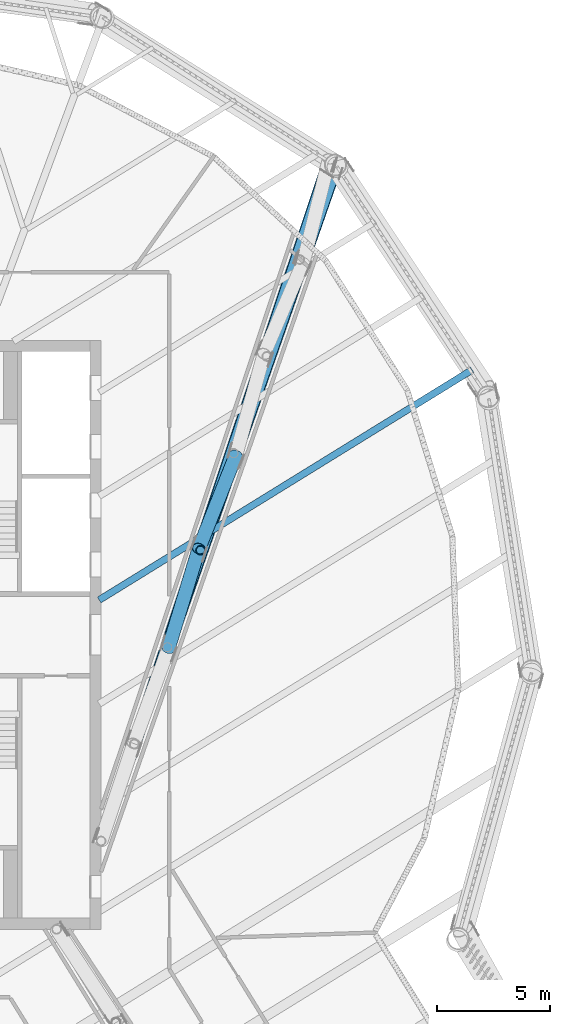
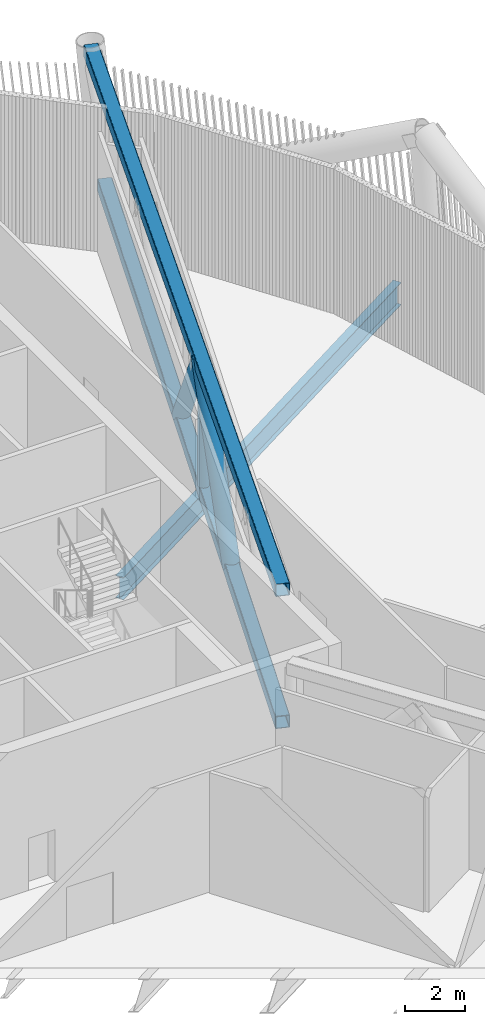
# One storey, part 8 of 40: 5 members, 1 beam.
"""IFC4 building model written with IfcOpenShell, lengths in metres."""

from ifc_helpers import new_model, si_unit, direction, frame, origin, origin_2d, place, context, subcontext, project, spatial, hollow_rectangle, hollow_circle, i_section, extrude, material, material_profile, profile_set, type_object, element, save


model = new_model("IFC4")

# Units and contexts
model_context = context("Model", 3, precision=1e-05, world=origin(), true_north=direction((0.0, 1.0)))
body_context = subcontext(model_context, "Body", "Model", "MODEL_VIEW")
ifc_project = project(units=[si_unit("LENGTHUNIT", "METRE"), si_unit("AREAUNIT", "SQUARE_METRE"), si_unit("VOLUMEUNIT", "CUBIC_METRE"), si_unit("PLANEANGLEUNIT", "RADIAN"), si_unit("MASSUNIT", "GRAM", prefix="KILO")], contexts=[model_context])

# Site, building, storey
site_placement = place(None, origin())
site = spatial("IfcSite", under=ifc_project, at=site_placement, CompositionType="ELEMENT")
building_placement = place(site_placement, origin())
building = spatial("IfcBuilding", under=site, at=building_placement, Name="Tarsis Ring Headquarters", CompositionType="ELEMENT")
storey_placement = place(building_placement, frame((0.0, 0.0, 354.800048828125)))
storey = spatial("IfcBuildingStorey", under=building, at=storey_placement, Name="L84", CompositionType="ELEMENT", Elevation=354.800048828125)

# Beam
ifc_material = material(Name="Structural steel S355", Category="steel")
ifc_material_profile_1 = material_profile(ifc_material, i_section(OverallWidth=0.3046875, OverallDepth=0.904296875, WebThickness=0.01513671875, FlangeThickness=0.02001953125, at=origin_2d()), Name="W36x135")
ifc_profile_set_1 = profile_set([ifc_material_profile_1], Name="Structural steel S355")
beam_type = type_object("IfcBeamType", Name="FB Floor beam W36x135", PredefinedType="JOIST", material=ifc_profile_set_1)
beam_placement = place(storey_placement, frame((9.914794921875, 1.535888671875, -0.752197265625), z_axis=(0.850994735959, 0.525174218113, 0.0), x_axis=(-0.525174218113, 0.850994735959, 0.0)))
element("IfcBeam", 1, at=beam_placement, inside=storey, type_object=beam_type, Name="Floor beam FB8", PredefinedType="JOIST", context=body_context, shape_type="SweptSolid", body=[
    extrude(i_section(OverallWidth=0.3046875, OverallDepth=0.904296875, WebThickness=0.01513671875, FlangeThickness=0.02001953125, at=origin_2d()), origin(), (0.0, 0.0, 1.0), 19.34716796875),
])

# Members
ifc_material_profile_2 = material_profile(ifc_material, hollow_rectangle(XDim=0.508056640625, YDim=0.508056640625, WallThickness=0.025390625, InnerFilletRadius=0.025390625, OuterFilletRadius=0.05078125, at=origin_2d()), Name="HSS 508x508x25")
ifc_profile_set_2 = profile_set([ifc_material_profile_2], Name="Structural steel S355")
member_type_1 = type_object("IfcMemberType", Name="OC Outrigger chord HSS 508x508x25", PredefinedType="CHORD", material=ifc_profile_set_2)
member_1_placement = place(storey_placement, frame((10.0, -9.10009765625, 0.25390625), z_axis=(0.32982113751, 0.944043440341, 0.0), x_axis=(-0.944043440341, 0.32982113751, 0.0)))
element("IfcMember", 2, at=member_1_placement, inside=storey, type_object=member_type_1, Name="Outrigger chord OC1", PredefinedType="CHORD", context=body_context, shape_type="SweptSolid", body=[
    extrude(hollow_rectangle(XDim=0.508056640625, YDim=0.508056640625, WallThickness=0.025390625, InnerFilletRadius=0.025390625, OuterFilletRadius=0.05078125, at=origin_2d()), origin(), (0.0, 0.0, 1.0), 31.54150390625),
])
member_2_placement = place(storey_placement, frame((10.0, -9.10009765625, 5.5859375), z_axis=(0.317150594269, 0.948375189761, 0.0), x_axis=(-0.948375189761, 0.317150594269, 0.0)))
element("IfcMember", 3, at=member_2_placement, inside=storey, type_object=member_type_1, Name="Outrigger chord OC1", PredefinedType="CHORD", context=body_context, shape_type="SweptSolid", body=[
    extrude(hollow_rectangle(XDim=0.508056640625, YDim=0.508056640625, WallThickness=0.025390625, InnerFilletRadius=0.025390625, OuterFilletRadius=0.05078125, at=origin_2d()), origin(), (0.0, 0.0, 1.0), 31.74169921875),
])
ifc_material_profile_3 = material_profile(ifc_material, hollow_circle(Radius=0.3046875, WallThickness=0.02490234375, at=origin_2d()), Name="CHS 610x25")
ifc_profile_set_3 = profile_set([ifc_material_profile_3], Name="Structural steel S355")
member_type_2 = type_object("IfcMemberType", Name="OD Outrigger diagonal CHS 610x25", PredefinedType="BRACE", material=ifc_profile_set_3)
member_3_placement = place(storey_placement, frame((12.972412109375, -0.59228515625, 0.25390625), z_axis=(0.190682091308, 0.624252304018, 0.757594483205), x_axis=(-0.956377970337, 0.292132123969, 0.0)))
element("IfcMember", 4, at=member_3_placement, inside=storey, type_object=member_type_2, Name="Outrigger diagonal OD1", PredefinedType="BRACE", context=body_context, shape_type="SweptSolid", body=[
    extrude(hollow_circle(Radius=0.3046875, WallThickness=0.02490234375, at=origin_2d()), origin(), (0.0, 0.0, 1.0), 7.0380859375),
])
member_4_placement = place(storey_placement, frame((14.314453125, 3.80126953125, 5.5859375), z_axis=(0.235256753191, 0.593726456197, -0.769508385458), x_axis=(-0.929677935559, 0.368373365126, 0.0)))
element("IfcMember", 5, at=member_4_placement, inside=storey, type_object=member_type_2, Name="Outrigger diagonal OD1", PredefinedType="BRACE", context=body_context, shape_type="SweptSolid", body=[
    extrude(hollow_circle(Radius=0.3046875, WallThickness=0.02490234375, at=origin_2d()), origin(), (0.0, 0.0, 1.0), 6.92919921875),
])
ifc_material_profile_4 = material_profile(ifc_material, hollow_circle(Radius=0.203125, WallThickness=0.01611328125, at=origin_2d()), Name="CHS 406x16")
ifc_profile_set_4 = profile_set([ifc_material_profile_4], Name="Structural steel S355")
member_type_3 = type_object("IfcMemberType", Name="OV Outrigger post CHS 406x16", PredefinedType="STRUT", material=ifc_profile_set_4)
member_5_placement = place(storey_placement, frame((14.386474609375, 3.731201171875, 0.508056640625), z_axis=(0.0, 0.0, 1.0), x_axis=(1.0, 0.0, 0.0)))
element("IfcMember", 6, at=member_5_placement, inside=storey, type_object=member_type_3, Name="Outrigger post OV1", PredefinedType="STRUT", context=body_context, shape_type="SweptSolid", body=[
    extrude(hollow_circle(Radius=0.203125, WallThickness=0.01611328125, at=origin_2d()), origin(), (0.0, 0.0, 1.0), 4.823974609375),
])

save(model, "model.ifc")
